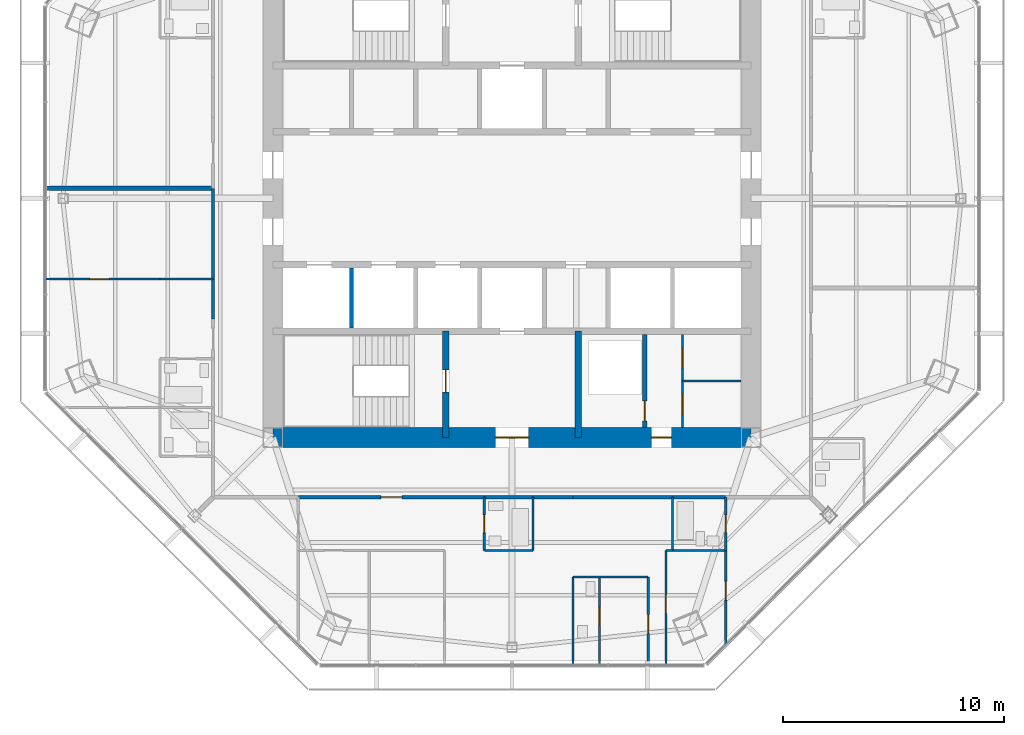
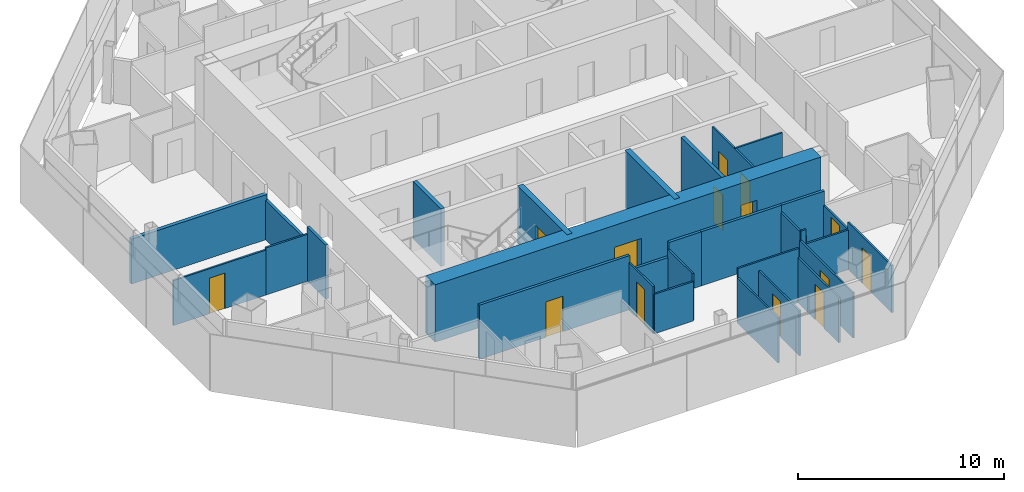
# One storey, part 9 of 14: 30 walls, 14 doors, 14 openings.
"""IFC4 building model written with IfcOpenShell, lengths in metres."""

import ifcopenshell
import ifcopenshell.guid

model = None  # the IFC model being written
_history = None  # IfcOwnerHistory: only IFC2X3 demands one
_inside = {}  # id of a spatial element -> (the spatial element, [elements in it])
_under = {}  # id of a project, library or spatial element -> (it, [spatial elements below it])
_declared = {}  # id of a project -> (the project, [libraries it declares])
_typed = {}  # id of a type object -> (the type object, [elements of that type])
_made_of = {}  # id of a material, layer set ... -> (it, [elements and type objects made of it])


def new_model(schema):
    """Start an empty IFC model of exactly this schema.

    Asked for "IFC4X3", IfcOpenShell would pick the latest addendum, in which some entities
    have other attributes; the version numbers below select the first issue.
    IFC2X3 requires an IfcOwnerHistory on every rooted entity: one is made here for all.
    """
    global model, _history
    if schema == "IFC4X3":
        model = ifcopenshell.file(schema_version=(4, 3, 0, 0))
    else:
        model = ifcopenshell.file(schema=schema)
    _inside.clear()
    _under.clear()
    _declared.clear()
    _typed.clear()
    _made_of.clear()
    _history = None
    if model.schema == "IFC2X3":
        org = make("IfcOrganization", Name="unknown")
        user = make(
            "IfcPersonAndOrganization",
            ThePerson=make("IfcPerson", FamilyName="unknown"),
            TheOrganization=org,
        )
        app = make(
            "IfcApplication",
            ApplicationDeveloper=org,
            Version="unknown",
            ApplicationFullName="unknown",
            ApplicationIdentifier="unknown",
        )
        _history = make(
            "IfcOwnerHistory",
            OwningUser=user,
            OwningApplication=app,
            ChangeAction="ADDED",
            CreationDate=0,
        )
    return model


def make(cls, **values):
    """One entity of the class cls with the attributes given. An attribute that is None is left unset."""
    return model.create_entity(
        cls, **{name: value for name, value in values.items() if value is not None}
    )


def rooted(cls, **values):
    """An entity with a GlobalId (a new one), such as an element, a storey or a relation."""
    return make(cls, GlobalId=ifcopenshell.guid.new(), OwnerHistory=_history, **values)


def si_unit(unit_type, name, prefix=None):
    """IfcSIUnit, for example si_unit("LENGTHUNIT", "METRE", prefix="MILLI")."""
    return make("IfcSIUnit", UnitType=unit_type, Prefix=prefix, Name=name)


def assignment(units):
    """IfcUnitAssignment: the units of a project."""
    return None if units is None else make("IfcUnitAssignment", Units=units)


def point(xyz):
    """IfcCartesianPoint."""
    return None if xyz is None else make("IfcCartesianPoint", Coordinates=xyz)


def direction(xyz):
    """IfcDirection."""
    return None if xyz is None else make("IfcDirection", DirectionRatios=xyz)


def frame(location, z_axis=None, x_axis=None):
    """IfcAxis2Placement3D, a coordinate frame: its origin and axes. An axis left out is left unset."""
    return make(
        "IfcAxis2Placement3D",
        Location=point(location),
        Axis=direction(z_axis),
        RefDirection=direction(x_axis),
    )


def frame_2d(location, x_axis=None):
    """IfcAxis2Placement2D, a coordinate frame in the plane: its origin and x axis."""
    return make(
        "IfcAxis2Placement2D", Location=point(location), RefDirection=direction(x_axis)
    )


def origin():
    """The frame at (0, 0, 0) with its axes left unset."""
    return frame((0.0, 0.0, 0.0))


def place(relative_to, where):
    """IfcLocalPlacement: puts the frame where relative to a parent placement (None: the world)."""
    return make(
        "IfcLocalPlacement", PlacementRelTo=relative_to, RelativePlacement=where
    )


def context(
    kind, dimensions, precision=None, world=None, true_north=None, identifier=None
):
    """IfcGeometricRepresentationContext, for example the 3D "Model" context."""
    return make(
        "IfcGeometricRepresentationContext",
        ContextIdentifier=identifier,
        ContextType=kind,
        CoordinateSpaceDimension=dimensions,
        Precision=precision,
        WorldCoordinateSystem=world,
        TrueNorth=true_north,
    )


def subcontext(parent, identifier, kind, view, scale=None):
    """IfcGeometricRepresentationSubContext, for example "Body" below "Model"."""
    return make(
        "IfcGeometricRepresentationSubContext",
        ContextIdentifier=identifier,
        ContextType=kind,
        ParentContext=parent,
        TargetScale=scale,
        TargetView=view,
    )


def project(units=None, contexts=None):
    """IfcProject with its units and contexts."""
    return rooted(
        "IfcProject",
        Name="project",
        RepresentationContexts=contexts,
        UnitsInContext=assignment(units),
    )


def spatial(cls, under=None, at=None, **own):
    """A site, building, storey or space (cls), placed at a placement, below another one or the project."""
    s = rooted(cls, ObjectPlacement=at, **own)
    if under is not None:
        _under.setdefault(under.id(), (under, []))[1].append(s)
    return s


def profile(cls, at=None, kind="AREA", **sizes):
    """A parametric profile (cls). Its sizes go by their IFC names, for example OverallWidth=200.0."""
    return make(cls, ProfileType=kind, Position=at, **sizes)


def rectangle(**sizes):
    """IfcRectangleProfileDef."""
    return profile("IfcRectangleProfileDef", **sizes)


def extrude(swept, where, along, depth):
    """IfcExtrudedAreaSolid: the profile swept, set in the frame where, extruded along a direction by depth."""
    return make(
        "IfcExtrudedAreaSolid",
        SweptArea=swept,
        Position=where,
        ExtrudedDirection=direction(along),
        Depth=depth,
    )


def shape(context_of_items, identifier, shape_type, items):
    """IfcShapeRepresentation: the items that make up one representation, for example the "Body"."""
    return make(
        "IfcShapeRepresentation",
        ContextOfItems=context_of_items,
        RepresentationIdentifier=identifier,
        RepresentationType=shape_type,
        Items=items,
    )


def material(Name=None, Category=None):
    """IfcMaterial."""
    return make("IfcMaterial", Name=Name, Category=Category)


def layer(
    of_material, thickness, ventilated=None, Name=None, Category=None, Priority=None
):
    """IfcMaterialLayer: one layer of a wall or slab, of a material (None: an air gap)."""
    return make(
        "IfcMaterialLayer",
        Material=of_material,
        LayerThickness=thickness,
        IsVentilated=ventilated,
        Name=Name,
        Category=Category,
        Priority=Priority,
    )


def layer_set(layers, Name=None):
    """IfcMaterialLayerSet."""
    return make("IfcMaterialLayerSet", MaterialLayers=layers, LayerSetName=Name)


def made_of(thing, what):
    """Note that an element or type object is made of a material, layer set ...; save() writes the relation."""
    if what is not None:
        _made_of.setdefault(what.id(), (what, []))[1].append(thing)
    return thing


def type_object(cls, material=None, **own):
    """A type object (cls), such as IfcWallType, which elements share."""
    return made_of(rooted(cls, **own), material)


def element(
    cls,
    number,
    at=None,
    inside=None,
    cuts=None,
    type_object=None,
    material=None,
    context=None,
    identifier="Body",
    shape_type=None,
    held_by="IfcProductDefinitionShape",
    body=None,
    shapes=None,
    **own,
):
    """One element of the class cls, such as IfcWall. Its Tag is "e" and its number.

    at: its placement. inside: the storey or other place that contains it. cuts: it is an
    opening in that element (IfcRelVoidsElement). A single representation is given by context,
    identifier, shape_type and body (its items); several are given by shapes. held_by: the class
    of the entity that holds the representations. save() writes the other relations.
    """
    e = rooted(cls, Tag="e%d" % number, ObjectPlacement=at, **own)
    if body is not None:
        shapes = [shape(context, identifier, shape_type, body)]
    if shapes is not None:
        e.Representation = make(held_by, Representations=shapes)
    if inside is not None:
        _inside.setdefault(inside.id(), (inside, []))[1].append(e)
    if cuts is not None:
        rooted(
            "IfcRelVoidsElement", RelatingBuildingElement=cuts, RelatedOpeningElement=e
        )
    if type_object is not None:
        _typed.setdefault(type_object.id(), (type_object, []))[1].append(e)
    return made_of(e, material)


def fill(opening, filler):
    """IfcRelFillsElement: the door or window that sits in an opening."""
    return rooted(
        "IfcRelFillsElement",
        RelatingOpeningElement=opening,
        RelatedBuildingElement=filler,
    )


def aggregate(whole, parts):
    """IfcRelAggregates: a whole, such as a stair, and the parts it consists of."""
    return rooted("IfcRelAggregates", RelatingObject=whole, RelatedObjects=parts)


def save(model, path):
    """Write the relations noted so far, then the file.

    IfcRelAggregates (storeys below a building ...), IfcRelContainedInSpatialStructure (elements
    in a storey), IfcRelDefinesByType, IfcRelAssociatesMaterial and IfcRelDeclares: one each for
    every whole, place, type object, material and project.
    """
    for whole, parts in _under.values():
        aggregate(whole, parts)
    for where, things in _inside.values():
        rooted(
            "IfcRelContainedInSpatialStructure",
            RelatedElements=things,
            RelatingStructure=where,
        )
    for kind, things in _typed.values():
        rooted("IfcRelDefinesByType", RelatedObjects=things, RelatingType=kind)
    for what, things in _made_of.values():
        rooted("IfcRelAssociatesMaterial", RelatedObjects=things, RelatingMaterial=what)
    for by, libraries in _declared.values():
        rooted("IfcRelDeclares", RelatingContext=by, RelatedDefinitions=libraries)
    model.write(path)


model = new_model("IFC4")

# Units and contexts
model_context = context("Model", 3, precision=1e-05, world=origin(), true_north=direction((0.0, 1.0)))
body_context = subcontext(model_context, "Body", "Model", "MODEL_VIEW")
ifc_project = project(units=[si_unit("LENGTHUNIT", "METRE"), si_unit("AREAUNIT", "SQUARE_METRE"), si_unit("VOLUMEUNIT", "CUBIC_METRE"), si_unit("PLANEANGLEUNIT", "RADIAN"), si_unit("MASSUNIT", "GRAM", prefix="KILO")], contexts=[model_context])

# Site, building, storey
site_placement = place(None, origin())
site = spatial("IfcSite", under=ifc_project, at=site_placement, CompositionType="ELEMENT")
building_placement = place(site_placement, origin())
building = spatial("IfcBuilding", under=site, at=building_placement, Name="Mashrafa Tower", CompositionType="ELEMENT")
storey_placement = place(building_placement, frame((0.0, 0.0, 244.800048828125)))
storey = spatial("IfcBuildingStorey", under=building, at=storey_placement, Name="L58", CompositionType="ELEMENT", Elevation=244.800048828125)

# Wall
ifc_material_1 = material(Name="Gypsum board on steel studs", Category="steel")
ifc_layer_1 = layer(ifc_material_1, 0.199951171875)
ifc_layer_set_1 = layer_set([ifc_layer_1], Name="Acoustic partition 200 1 hr")
wall_type_1 = type_object("IfcWallType", Name="Acoustic partition 200 1 hr", PredefinedType="PARTITIONING", material=ifc_layer_set_1)
wall_1_placement = place(storey_placement, frame((-21.07177734375, 0.449951171875, 0.0), z_axis=(0.0, 0.0, 1.0), x_axis=(1.0, 0.0, 0.0)))
element("IfcWall", 1, at=wall_1_placement, inside=storey, type_object=wall_type_1, Name="Acoustic wall L58-076", PredefinedType="PARTITIONING", context=body_context, shape_type="SweptSolid", body=[
    extrude(rectangle(XDim=7.57177734375, YDim=0.199951171875, at=frame_2d((3.785888671875, 0.0))), origin(), (0.0, 0.0, 1.0), 2.66162109375),
])

# Wall, opening, door
ifc_material_2 = material(Name="Concrete masonry unit", Category="masonry")
ifc_layer_2 = layer(ifc_material_2, 0.199951171875)
ifc_layer_set_2 = layer_set([ifc_layer_2], Name="Blockwork wall 200 2 hr")
wall_type_2 = type_object("IfcWallType", Name="Blockwork wall 200 2 hr", PredefinedType="PARTITIONING", material=ifc_layer_set_2)
wall_2_placement = place(storey_placement, frame((6.0, -10.35009765625, 0.0), z_axis=(0.0, 0.0, 1.0), x_axis=(0.0, 1.0, 0.0)))
wall_2 = element("IfcWall", 2, at=wall_2_placement, inside=storey, type_object=wall_type_2, Name="Riser enclosure wall L58", PredefinedType="PARTITIONING", context=body_context, shape_type="SweptSolid", body=[
    extrude(rectangle(XDim=4.2001953125, YDim=0.199951171875, at=frame_2d((2.10009765625, 0.0))), origin(), (0.0, 0.0, 1.0), 3.199951171875),
])
opening_1_placement = place(wall_2_placement, frame((0.300048828125, 0.0, 0.0)))
opening_1 = element("IfcOpeningElement", 3, at=opening_1_placement, cuts=wall_2, Name="Opening 58.046", PredefinedType="OPENING", context=body_context, shape_type="SweptSolid", body=[
    extrude(rectangle(XDim=0.89990234375, YDim=2.10009765625, at=frame_2d((0.449951171875, 1.050048828125))), frame((0.0, 0.10986328125, 0.0), z_axis=(0.0, -1.0, 0.0), x_axis=(1.0, 0.0, 0.0)), (0.0, 0.0, 1.0), 0.219970703125),
])
ifc_material_3 = material(Name="Steel door", Category="steel")
door_type_1 = type_object("IfcDoorType", Name="Service door 900 x 2100 90 min", OperationType="USERDEFINED", PredefinedType="DOOR", material=ifc_material_3)
door_1_placement = place(opening_1_placement, origin())
door_1 = element("IfcDoor", 4, at=door_1_placement, inside=storey, type_object=door_type_1, Name="Riser door L58", OperationType="SINGLE_SWING_LEFT", OverallHeight=2.10009765625, OverallWidth=0.89990234375, PredefinedType="DOOR", context=body_context, shape_type="SweptSolid", body=[
    extrude(rectangle(XDim=0.89990234375, YDim=2.10009765625, at=frame_2d((0.449951171875, 1.050048828125))), frame((0.0, 0.02490234375, 0.0), z_axis=(0.0, -1.0, 0.0), x_axis=(1.0, 0.0, 0.0)), (0.0, 0.0, 1.0), 0.050048828125),
])
fill(opening_1, door_1)

ifc_material_4 = material(Name="Concrete C50/60", Category="concrete")
ifc_layer_3 = layer(ifc_material_4, 0.300048828125)
ifc_layer_set_3 = layer_set([ifc_layer_3], Name="Core wall 300 C50/60")
wall_type_3 = type_object("IfcWallType", Name="Core wall 300 C50/60", PredefinedType="SOLIDWALL", material=ifc_layer_set_3)
wall_3_placement = place(storey_placement, frame((-3.0, -6.0, 0.0), z_axis=(0.0, 0.0, 1.0), x_axis=(0.0, -1.0, 0.0)))
wall_3 = element("IfcWall", 5, at=wall_3_placement, inside=storey, type_object=wall_type_3, Name="Core wall CX-SW L58", PredefinedType="SOLIDWALL", context=body_context, shape_type="SweptSolid", body=[
    extrude(rectangle(XDim=4.800048828125, YDim=0.300048828125, at=frame_2d((2.39990234375, 0.0))), origin(), (0.0, 0.0, 1.0), 3.39990234375),
])
opening_2_placement = place(wall_3_placement, frame((1.75, 0.0, 0.0)))
opening_2 = element("IfcOpeningElement", 6, at=opening_2_placement, cuts=wall_3, Name="Opening 58.044", PredefinedType="OPENING", context=body_context, shape_type="SweptSolid", body=[
    extrude(rectangle(XDim=1.0, YDim=2.10009765625, at=frame_2d((0.5, 1.050048828125))), frame((0.0, 0.159912109375, 0.0), z_axis=(0.0, -1.0, 0.0), x_axis=(1.0, 0.0, 0.0)), (0.0, 0.0, 1.0), 0.320068359375),
])
ifc_material_5 = material(Name="Steel door", Category="steel")
door_type_2 = type_object("IfcDoorType", Name="Stair door 1000 x 2100 90 min", OperationType="USERDEFINED", PredefinedType="DOOR", material=ifc_material_5)
door_2_placement = place(opening_2_placement, frame((1.0, 0.0, 0.0), z_axis=(0.0, 0.0, 1.0), x_axis=(-1.0, 0.0, 0.0)))
door_2 = element("IfcDoor", 7, at=door_2_placement, inside=storey, type_object=door_type_2, Name="Stair S3 door L58", OperationType="SINGLE_SWING_RIGHT", OverallHeight=2.10009765625, OverallWidth=1.0, PredefinedType="DOOR", context=body_context, shape_type="SweptSolid", body=[
    extrude(rectangle(XDim=1.0, YDim=2.10009765625, at=frame_2d((0.5, 1.050048828125))), frame((0.0, 0.02490234375, 0.0), z_axis=(0.0, -1.0, 0.0), x_axis=(1.0, 0.0, 0.0)), (0.0, 0.0, 1.0), 0.050048828125),
])
fill(opening_2, door_2)

# Wall
wall_4_placement = place(storey_placement, frame((3.0, -6.0, 0.0), z_axis=(0.0, 0.0, 1.0), x_axis=(0.0, -1.0, 0.0)))
element("IfcWall", 8, at=wall_4_placement, inside=storey, type_object=wall_type_3, Name="Core wall CX-SE L58", PredefinedType="SOLIDWALL", context=body_context, shape_type="SweptSolid", body=[
    extrude(rectangle(XDim=4.800048828125, YDim=0.300048828125, at=frame_2d((2.39990234375, 0.0))), origin(), (0.0, 0.0, 1.0), 3.39990234375),
])

# Wall, openings, doors
ifc_material_6 = material(Name="Concrete C50/60", Category="concrete")
ifc_layer_4 = layer(ifc_material_6, 0.89990234375)
ifc_layer_set_4 = layer_set([ifc_layer_4], Name="Core wall 900 C50/60")
wall_type_4 = type_object("IfcWallType", Name="Core wall 900 C50/60", PredefinedType="SOLIDWALL", material=ifc_layer_set_4)
wall_5_placement = place(storey_placement, frame((-10.800048828125, -10.800048828125, 0.0), z_axis=(0.0, 0.0, 1.0), x_axis=(1.0, 0.0, 0.0)))
wall_5 = element("IfcWall", 9, at=wall_5_placement, inside=storey, type_object=wall_type_4, Name="Core wall CW-S L58", PredefinedType="SOLIDWALL", context=body_context, shape_type="SweptSolid", body=[
    extrude(rectangle(XDim=21.60009765625, YDim=0.89990234375, at=frame_2d((10.800048828125, 0.0))), origin(), (0.0, 0.0, 1.0), 3.39990234375),
])
opening_3_placement = place(wall_5_placement, frame((10.050048828125, 0.0, 0.0)))
opening_3 = element("IfcOpeningElement", 10, at=opening_3_placement, cuts=wall_5, Name="Opening 58.041", PredefinedType="OPENING", context=body_context, shape_type="SweptSolid", body=[
    extrude(rectangle(XDim=1.5, YDim=2.10009765625, at=frame_2d((0.75, 1.050048828125))), frame((0.0, 0.4599609375, 0.0), z_axis=(0.0, -1.0, 0.0), x_axis=(1.0, 0.0, 0.0)), (0.0, 0.0, 1.0), 0.919921875),
])
opening_4_placement = place(wall_5_placement, frame((17.10009765625, 0.0, 0.0)))
opening_4 = element("IfcOpeningElement", 11, at=opening_4_placement, cuts=wall_5, Name="Opening 58.045", PredefinedType="OPENING", context=body_context, shape_type="SweptSolid", body=[
    extrude(rectangle(XDim=0.89990234375, YDim=2.10009765625, at=frame_2d((0.449951171875, 1.050048828125))), frame((0.0, 0.4599609375, 0.0), z_axis=(0.0, -1.0, 0.0), x_axis=(1.0, 0.0, 0.0)), (0.0, 0.0, 1.0), 0.919921875),
])
ifc_material_7 = material(Name="Steel door", Category="steel")
door_type_3 = type_object("IfcDoorType", Name="Lobby door pair 1500 x 2100 90 min", OperationType="DOUBLE_DOOR_SINGLE_SWING", PredefinedType="DOOR", material=ifc_material_7)
door_3_placement = place(opening_3_placement, origin())
door_3 = element("IfcDoor", 12, at=door_3_placement, inside=storey, type_object=door_type_3, Name="Fire-fighting lobby F2 door L58", OperationType="DOUBLE_DOOR_SINGLE_SWING", OverallHeight=2.10009765625, OverallWidth=1.5, PredefinedType="DOOR", context=body_context, shape_type="SweptSolid", body=[
    extrude(rectangle(XDim=1.5, YDim=2.10009765625, at=frame_2d((0.75, 1.050048828125))), frame((0.0, 0.02490234375, 0.0), z_axis=(0.0, -1.0, 0.0), x_axis=(1.0, 0.0, 0.0)), (0.0, 0.0, 1.0), 0.050048828125),
])
fill(opening_3, door_3)
door_4_placement = place(opening_4_placement, frame((0.89990234375, 0.0, 0.0), z_axis=(0.0, 0.0, 1.0), x_axis=(-1.0, 0.0, 0.0)))
door_4 = element("IfcDoor", 13, at=door_4_placement, inside=storey, type_object=door_type_1, Name="Services Lobby L58 door", OperationType="SINGLE_SWING_LEFT", OverallHeight=2.10009765625, OverallWidth=0.89990234375, PredefinedType="DOOR", context=body_context, shape_type="SweptSolid", body=[
    extrude(rectangle(XDim=0.89990234375, YDim=2.10009765625, at=frame_2d((0.449951171875, 1.050048828125))), frame((0.0, 0.02490234375, 0.0), z_axis=(0.0, -1.0, 0.0), x_axis=(1.0, 0.0, 0.0)), (0.0, 0.0, 1.0), 0.050048828125),
])
fill(opening_4, door_4)

# Walls
ifc_material_8 = material(Name="Gypsum board on steel studs", Category="steel")
ifc_layer_5 = layer(ifc_material_8, 0.14990234375)
ifc_layer_set_5 = layer_set([ifc_layer_5], Name="Corridor partition 150 1 hr")
wall_type_5 = type_object("IfcWallType", Name="Corridor partition 150 1 hr", PredefinedType="PARTITIONING", material=ifc_layer_set_5)
wall_6_placement = place(storey_placement, frame((-13.5, -3.64892578125, 0.0), z_axis=(0.0, 0.0, 1.0), x_axis=(0.0, -1.0, 0.0)))
element("IfcWall", 14, at=wall_6_placement, inside=storey, type_object=wall_type_5, Name="Corridor wall L58-032", PredefinedType="PARTITIONING", context=body_context, shape_type="SweptSolid", body=[
    extrude(rectangle(XDim=1.802001953125, YDim=0.14990234375, at=frame_2d((0.90087890625, 0.0))), origin(), (0.0, 0.0, 1.0), 3.199951171875),
])
wall_7_placement = place(storey_placement, frame((-13.5, 0.450927734375, 0.0), z_axis=(0.0, 0.0, 1.0), x_axis=(0.0, -1.0, 0.0)))
element("IfcWall", 15, at=wall_7_placement, inside=storey, type_object=wall_type_5, Name="Corridor wall L58-033", PredefinedType="PARTITIONING", context=body_context, shape_type="SweptSolid", body=[
    extrude(rectangle(XDim=4.101806640625, YDim=0.14990234375, at=frame_2d((2.05078125, 0.0))), origin(), (0.0, 0.0, 1.0), 2.33154296875),
])
wall_8_placement = place(storey_placement, frame((-1.2509765625, -13.5, 0.0), z_axis=(0.0, 0.0, 1.0), x_axis=(1.0, 0.0, 0.0)))
element("IfcWall", 16, at=wall_8_placement, inside=storey, type_object=wall_type_5, Name="Corridor wall L58-036", PredefinedType="PARTITIONING", context=body_context, shape_type="SweptSolid", body=[
    extrude(rectangle(XDim=2.201904296875, YDim=0.14990234375, at=frame_2d((1.10107421875, 0.0))), origin(), (0.0, 0.0, 1.0), 2.33154296875),
])
wall_9_placement = place(storey_placement, frame((0.948974609375, -13.5, 0.0), z_axis=(0.0, 0.0, 1.0), x_axis=(1.0, 0.0, 0.0)))
element("IfcWall", 17, at=wall_9_placement, inside=storey, type_object=wall_type_5, Name="Corridor wall L58-037", PredefinedType="PARTITIONING", context=body_context, shape_type="SweptSolid", body=[
    extrude(rectangle(XDim=1.802001953125, YDim=0.14990234375, at=frame_2d((0.90087890625, 0.0))), origin(), (0.0, 0.0, 1.0), 3.199951171875),
])
wall_10_placement = place(storey_placement, frame((7.2490234375, -13.5, 0.0), z_axis=(0.0, 0.0, 1.0), x_axis=(1.0, 0.0, 0.0)))
element("IfcWall", 18, at=wall_10_placement, inside=storey, type_object=wall_type_5, Name="Corridor wall L58-038", PredefinedType="PARTITIONING", context=body_context, shape_type="SweptSolid", body=[
    extrude(rectangle(XDim=2.40185546875, YDim=0.14990234375, at=frame_2d((1.200927734375, 0.0))), origin(), (0.0, 0.0, 1.0), 3.199951171875),
])

# Wall, opening, door
wall_11_placement = place(storey_placement, frame((-9.65087890625, -13.5, 0.0), z_axis=(0.0, 0.0, 1.0), x_axis=(1.0, 0.0, 0.0)))
wall_11 = element("IfcWall", 19, at=wall_11_placement, inside=storey, type_object=wall_type_5, Name="Corridor wall L58-040", PredefinedType="PARTITIONING", context=body_context, shape_type="SweptSolid", body=[
    extrude(rectangle(XDim=8.40185546875, YDim=0.14990234375, at=frame_2d((4.200927734375, 0.0))), origin(), (0.0, 0.0, 1.0), 3.199951171875),
])
opening_5_placement = place(wall_11_placement, frame((3.72607421875, 0.0, 0.0)))
opening_5 = element("IfcOpeningElement", 20, at=opening_5_placement, cuts=wall_11, Name="Opening 58.034", PredefinedType="OPENING", context=body_context, shape_type="SweptSolid", body=[
    extrude(rectangle(XDim=0.949951171875, YDim=2.10009765625, at=frame_2d((0.47509765625, 1.050048828125))), frame((0.0, 0.0849609375, 0.0), z_axis=(0.0, -1.0, 0.0), x_axis=(1.0, 0.0, 0.0)), (0.0, 0.0, 1.0), 0.169921875),
])
ifc_material_9 = material(Name="Steel door", Category="steel")
door_type_4 = type_object("IfcDoorType", Name="Residence entrance door 950 x 2100 20 min", OperationType="USERDEFINED", PredefinedType="DOOR", material=ifc_material_9)
door_5_placement = place(opening_5_placement, frame((0.949951171875, 0.0, 0.0), z_axis=(0.0, 0.0, 1.0), x_axis=(-1.0, 0.0, 0.0)))
door_5 = element("IfcDoor", 21, at=door_5_placement, inside=storey, type_object=door_type_4, Name="Apartment 5807 Living Room door", OperationType="SINGLE_SWING_RIGHT", OverallHeight=2.10009765625, OverallWidth=0.949951171875, PredefinedType="DOOR", context=body_context, shape_type="SweptSolid", body=[
    extrude(rectangle(XDim=0.949951171875, YDim=2.10009765625, at=frame_2d((0.47509765625, 1.050048828125))), frame((0.0, 0.02490234375, 0.0), z_axis=(0.0, -1.0, 0.0), x_axis=(1.0, 0.0, 0.0)), (0.0, 0.0, 1.0), 0.050048828125),
])
fill(opening_5, door_5)

# Walls
wall_12_placement = place(storey_placement, frame((2.7490234375, -13.5, 0.0), z_axis=(0.0, 0.0, 1.0), x_axis=(1.0, 0.0, 0.0)))
element("IfcWall", 22, at=wall_12_placement, inside=storey, type_object=wall_type_5, Name="Corridor wall L58-041", PredefinedType="PARTITIONING", context=body_context, shape_type="SweptSolid", body=[
    extrude(rectangle(XDim=4.501953125, YDim=0.14990234375, at=frame_2d((2.2509765625, 0.0))), origin(), (0.0, 0.0, 1.0), 3.199951171875),
])
ifc_material_10 = material(Name="Gypsum board on steel studs", Category="steel")
ifc_layer_6 = layer(ifc_material_10, 0.10009765625)
ifc_layer_set_6 = layer_set([ifc_layer_6], Name="Partition 100")
wall_type_6 = type_object("IfcWallType", Name="Partition 100", PredefinedType="PARTITIONING", material=ifc_layer_set_6)
wall_13_placement = place(storey_placement, frame((-13.5, -3.64990234375, 0.0), z_axis=(0.0, 0.0, 1.0), x_axis=(-1.0, 0.0, 0.0)))
element("IfcWall", 23, at=wall_13_placement, inside=storey, type_object=wall_type_6, Name="Partition wall L58-084", PredefinedType="PARTITIONING", context=body_context, shape_type="SweptSolid", body=[
    extrude(rectangle(XDim=2.39990234375, YDim=0.10009765625, at=frame_2d((1.199951171875, 0.0))), origin(), (0.0, 0.0, 1.0), 2.783447265625),
])

# Wall, opening, door
wall_14_placement = place(storey_placement, frame((-21.07373046875, -3.64990234375, 0.0), z_axis=(0.0, 0.0, 1.0), x_axis=(1.0, 0.0, 0.0)))
wall_14 = element("IfcWall", 24, at=wall_14_placement, inside=storey, type_object=wall_type_6, Name="Partition wall L58-085", PredefinedType="PARTITIONING", context=body_context, shape_type="SweptSolid", body=[
    extrude(rectangle(XDim=5.1748046875, YDim=0.10009765625, at=frame_2d((2.58740234375, 0.0))), origin(), (0.0, 0.0, 1.0), 2.66162109375),
])
opening_6_placement = place(wall_14_placement, frame((2.0244140625, 0.0, 0.0)))
opening_6 = element("IfcOpeningElement", 25, at=opening_6_placement, cuts=wall_14, Name="Opening 58.024", PredefinedType="OPENING", context=body_context, shape_type="SweptSolid", body=[
    extrude(rectangle(XDim=0.85009765625, YDim=2.10009765625, at=frame_2d((0.425048828125, 1.050048828125))), frame((0.0, 0.06005859375, 0.0), z_axis=(0.0, -1.0, 0.0), x_axis=(1.0, 0.0, 0.0)), (0.0, 0.0, 1.0), 0.1201171875),
])
ifc_material_11 = material(Name="Timber door", Category="wood")
door_type_5 = type_object("IfcDoorType", Name="Bedroom door 850 x 2100", OperationType="USERDEFINED", PredefinedType="DOOR", material=ifc_material_11)
door_6_placement = place(opening_6_placement, origin())
door_6 = element("IfcDoor", 26, at=door_6_placement, inside=storey, type_object=door_type_5, Name="Apartment 5806 Bedroom 2 door", OperationType="SINGLE_SWING_LEFT", OverallHeight=2.10009765625, OverallWidth=0.85009765625, PredefinedType="DOOR", context=body_context, shape_type="SweptSolid", body=[
    extrude(rectangle(XDim=0.85009765625, YDim=2.10009765625, at=frame_2d((0.425048828125, 1.050048828125))), frame((0.0, 0.02490234375, 0.0), z_axis=(0.0, -1.0, 0.0), x_axis=(1.0, 0.0, 0.0)), (0.0, 0.0, 1.0), 0.050048828125),
])
fill(opening_6, door_6)

# Wall
wall_15_placement = place(storey_placement, frame((0.949951171875, -15.89990234375, 0.0), z_axis=(0.0, 0.0, 1.0), x_axis=(0.0, 1.0, 0.0)))
element("IfcWall", 27, at=wall_15_placement, inside=storey, type_object=wall_type_6, Name="Partition wall L58-092", PredefinedType="PARTITIONING", context=body_context, shape_type="SweptSolid", body=[
    extrude(rectangle(XDim=2.39990234375, YDim=0.10009765625, at=frame_2d((1.199951171875, 0.0))), origin(), (0.0, 0.0, 1.0), 2.783447265625),
])

# Wall, opening, door
wall_16_placement = place(storey_placement, frame((-1.25, -13.5, 0.0), z_axis=(0.0, 0.0, 1.0), x_axis=(0.0, -1.0, 0.0)))
wall_16 = element("IfcWall", 28, at=wall_16_placement, inside=storey, type_object=wall_type_6, Name="Partition wall L58-093", PredefinedType="PARTITIONING", context=body_context, shape_type="SweptSolid", body=[
    extrude(rectangle(XDim=2.39990234375, YDim=0.10009765625, at=frame_2d((1.199951171875, 0.0))), origin(), (0.0, 0.0, 1.0), 2.783447265625),
])
opening_7_placement = place(wall_16_placement, frame((0.800048828125, 0.0, 0.0)))
opening_7 = element("IfcOpeningElement", 29, at=opening_7_placement, cuts=wall_16, Name="Opening 58.029", PredefinedType="OPENING", context=body_context, shape_type="SweptSolid", body=[
    extrude(rectangle(XDim=0.800048828125, YDim=2.10009765625, at=frame_2d((0.39990234375, 1.050048828125))), frame((0.0, 0.06005859375, 0.0), z_axis=(0.0, -1.0, 0.0), x_axis=(1.0, 0.0, 0.0)), (0.0, 0.0, 1.0), 0.1201171875),
])
ifc_material_12 = material(Name="Timber door", Category="wood")
door_type_6 = type_object("IfcDoorType", Name="Bathroom door 800 x 2100", OperationType="USERDEFINED", PredefinedType="DOOR", material=ifc_material_12)
door_7_placement = place(opening_7_placement, origin())
door_7 = element("IfcDoor", 30, at=door_7_placement, inside=storey, type_object=door_type_6, Name="Apartment 5807 Bathroom door", OperationType="SINGLE_SWING_RIGHT", OverallHeight=2.10009765625, OverallWidth=0.800048828125, PredefinedType="DOOR", context=body_context, shape_type="SweptSolid", body=[
    extrude(rectangle(XDim=0.800048828125, YDim=2.10009765625, at=frame_2d((0.39990234375, 1.050048828125))), frame((0.0, 0.02490234375, 0.0), z_axis=(0.0, -1.0, 0.0), x_axis=(1.0, 0.0, 0.0)), (0.0, 0.0, 1.0), 0.050048828125),
])
fill(opening_7, door_7)

# Wall
wall_17_placement = place(storey_placement, frame((-1.25, -15.89990234375, 0.0), z_axis=(0.0, 0.0, 1.0), x_axis=(1.0, 0.0, 0.0)))
element("IfcWall", 31, at=wall_17_placement, inside=storey, type_object=wall_type_6, Name="Partition wall L58-094", PredefinedType="PARTITIONING", context=body_context, shape_type="SweptSolid", body=[
    extrude(rectangle(XDim=2.199951171875, YDim=0.10009765625, at=frame_2d((1.10009765625, 0.0))), origin(), (0.0, 0.0, 1.0), 2.33154296875),
])

# Wall, opening, door
wall_18_placement = place(storey_placement, frame((3.949951171875, -17.10009765625, 0.0), z_axis=(0.0, 0.0, 1.0), x_axis=(0.0, -1.0, 0.0)))
wall_18 = element("IfcWall", 32, at=wall_18_placement, inside=storey, type_object=wall_type_6, Name="Partition wall L58-095", PredefinedType="PARTITIONING", context=body_context, shape_type="SweptSolid", body=[
    extrude(rectangle(XDim=3.9736328125, YDim=0.10009765625, at=frame_2d((1.98681640625, 0.0))), origin(), (0.0, 0.0, 1.0), 2.66162109375),
])
opening_8_placement = place(wall_18_placement, frame((1.369873046875, 0.0, 0.0)))
opening_8 = element("IfcOpeningElement", 33, at=opening_8_placement, cuts=wall_18, Name="Opening 58.031", PredefinedType="OPENING", context=body_context, shape_type="SweptSolid", body=[
    extrude(rectangle(XDim=0.800048828125, YDim=2.10009765625, at=frame_2d((0.39990234375, 1.050048828125))), frame((0.0, 0.06005859375, 0.0), z_axis=(0.0, -1.0, 0.0), x_axis=(1.0, 0.0, 0.0)), (0.0, 0.0, 1.0), 0.1201171875),
])
door_8_placement = place(opening_8_placement, frame((0.800048828125, 0.0, 0.0), z_axis=(0.0, 0.0, 1.0), x_axis=(-1.0, 0.0, 0.0)))
door_8 = element("IfcDoor", 34, at=door_8_placement, inside=storey, type_object=door_type_6, Name="Apartment 5807 Maid's WC door", OperationType="SINGLE_SWING_RIGHT", OverallHeight=2.10009765625, OverallWidth=0.800048828125, PredefinedType="DOOR", context=body_context, shape_type="SweptSolid", body=[
    extrude(rectangle(XDim=0.800048828125, YDim=2.10009765625, at=frame_2d((0.39990234375, 1.050048828125))), frame((0.0, 0.02490234375, 0.0), z_axis=(0.0, -1.0, 0.0), x_axis=(1.0, 0.0, 0.0)), (0.0, 0.0, 1.0), 0.050048828125),
])
fill(opening_8, door_8)

wall_19_placement = place(storey_placement, frame((6.14990234375, -21.07373046875, 0.0), z_axis=(0.0, 0.0, 1.0), x_axis=(0.0, 1.0, 0.0)))
wall_19 = element("IfcWall", 35, at=wall_19_placement, inside=storey, type_object=wall_type_6, Name="Partition wall L58-096", PredefinedType="PARTITIONING", context=body_context, shape_type="SweptSolid", body=[
    extrude(rectangle(XDim=3.9736328125, YDim=0.10009765625, at=frame_2d((1.98681640625, 0.0))), origin(), (0.0, 0.0, 1.0), 2.66162109375),
])
opening_9_placement = place(wall_19_placement, frame((1.423828125, 0.0, 0.0)))
opening_9 = element("IfcOpeningElement", 36, at=opening_9_placement, cuts=wall_19, Name="Opening 58.030", PredefinedType="OPENING", context=body_context, shape_type="SweptSolid", body=[
    extrude(rectangle(XDim=0.85009765625, YDim=2.10009765625, at=frame_2d((0.425048828125, 1.050048828125))), frame((0.0, 0.06005859375, 0.0), z_axis=(0.0, -1.0, 0.0), x_axis=(1.0, 0.0, 0.0)), (0.0, 0.0, 1.0), 0.1201171875),
])
door_9_placement = place(opening_9_placement, origin())
door_9 = element("IfcDoor", 37, at=door_9_placement, inside=storey, type_object=door_type_5, Name="Apartment 5807 Maid's Room door", OperationType="SINGLE_SWING_LEFT", OverallHeight=2.10009765625, OverallWidth=0.85009765625, PredefinedType="DOOR", context=body_context, shape_type="SweptSolid", body=[
    extrude(rectangle(XDim=0.85009765625, YDim=2.10009765625, at=frame_2d((0.425048828125, 1.050048828125))), frame((0.0, 0.02490234375, 0.0), z_axis=(0.0, -1.0, 0.0), x_axis=(1.0, 0.0, 0.0)), (0.0, 0.0, 1.0), 0.050048828125),
])
fill(opening_9, door_9)

# Walls
wall_20_placement = place(storey_placement, frame((6.14990234375, -17.10009765625, 0.0), z_axis=(0.0, 0.0, 1.0), x_axis=(-1.0, 0.0, 0.0)))
element("IfcWall", 38, at=wall_20_placement, inside=storey, type_object=wall_type_6, Name="Partition wall L58-097", PredefinedType="PARTITIONING", context=body_context, shape_type="SweptSolid", body=[
    extrude(rectangle(XDim=3.39990234375, YDim=0.10009765625, at=frame_2d((1.699951171875, 0.0))), origin(), (0.0, 0.0, 1.0), 3.199951171875),
])
wall_21_placement = place(storey_placement, frame((2.75, -17.10009765625, 0.0), z_axis=(0.0, 0.0, 1.0), x_axis=(0.0, -1.0, 0.0)))
element("IfcWall", 39, at=wall_21_placement, inside=storey, type_object=wall_type_6, Name="Partition wall L58-099", PredefinedType="PARTITIONING", context=body_context, shape_type="SweptSolid", body=[
    extrude(rectangle(XDim=3.9716796875, YDim=0.10009765625, at=frame_2d((1.98583984375, 0.0))), origin(), (0.0, 0.0, 1.0), 2.66162109375),
])

# Wall, opening, door
wall_22_placement = place(storey_placement, frame((9.64990234375, -15.89990234375, 0.0), z_axis=(0.0, 0.0, 1.0), x_axis=(0.0, 1.0, 0.0)))
wall_22 = element("IfcWall", 40, at=wall_22_placement, inside=storey, type_object=wall_type_6, Name="Partition wall L58-100", PredefinedType="PARTITIONING", context=body_context, shape_type="SweptSolid", body=[
    extrude(rectangle(XDim=2.39990234375, YDim=0.10009765625, at=frame_2d((1.199951171875, 0.0))), origin(), (0.0, 0.0, 1.0), 2.349365234375),
])
opening_10_placement = place(wall_22_placement, frame((0.800048828125, 0.0, 0.0)))
opening_10 = element("IfcOpeningElement", 41, at=opening_10_placement, cuts=wall_22, Name="Opening 58.032", PredefinedType="OPENING", context=body_context, shape_type="SweptSolid", body=[
    extrude(rectangle(XDim=0.800048828125, YDim=2.10009765625, at=frame_2d((0.39990234375, 1.050048828125))), frame((0.0, 0.06005859375, 0.0), z_axis=(0.0, -1.0, 0.0), x_axis=(1.0, 0.0, 0.0)), (0.0, 0.0, 1.0), 0.1201171875),
])
door_10_placement = place(opening_10_placement, origin())
door_10 = element("IfcDoor", 42, at=door_10_placement, inside=storey, type_object=door_type_6, Name="Apartment 5807 En-suite Bathroom door", OperationType="SINGLE_SWING_RIGHT", OverallHeight=2.10009765625, OverallWidth=0.800048828125, PredefinedType="DOOR", context=body_context, shape_type="SweptSolid", body=[
    extrude(rectangle(XDim=0.800048828125, YDim=2.10009765625, at=frame_2d((0.39990234375, 1.050048828125))), frame((0.0, 0.02490234375, 0.0), z_axis=(0.0, -1.0, 0.0), x_axis=(1.0, 0.0, 0.0)), (0.0, 0.0, 1.0), 0.050048828125),
])
fill(opening_10, door_10)

# Walls
wall_23_placement = place(storey_placement, frame((7.25, -13.5, 0.0), z_axis=(0.0, 0.0, 1.0), x_axis=(0.0, -1.0, 0.0)))
element("IfcWall", 43, at=wall_23_placement, inside=storey, type_object=wall_type_6, Name="Partition wall L58-101", PredefinedType="PARTITIONING", context=body_context, shape_type="SweptSolid", body=[
    extrude(rectangle(XDim=2.39990234375, YDim=0.10009765625, at=frame_2d((1.199951171875, 0.0))), origin(), (0.0, 0.0, 1.0), 2.783447265625),
])
wall_24_placement = place(storey_placement, frame((7.25, -15.89990234375, 0.0), z_axis=(0.0, 0.0, 1.0), x_axis=(1.0, 0.0, 0.0)))
element("IfcWall", 44, at=wall_24_placement, inside=storey, type_object=wall_type_6, Name="Partition wall L58-102", PredefinedType="PARTITIONING", context=body_context, shape_type="SweptSolid", body=[
    extrude(rectangle(XDim=2.39990234375, YDim=0.10009765625, at=frame_2d((1.199951171875, 0.0))), origin(), (0.0, 0.0, 1.0), 2.349365234375),
])

# Wall, opening, door
wall_25_placement = place(storey_placement, frame((9.64990234375, -15.89892578125, 0.0), z_axis=(0.0, 0.0, 1.0), x_axis=(0.0, -1.0, 0.0)))
wall_25 = element("IfcWall", 45, at=wall_25_placement, inside=storey, type_object=wall_type_6, Name="Partition wall L58-103", PredefinedType="PARTITIONING", context=body_context, shape_type="SweptSolid", body=[
    extrude(rectangle(XDim=4.254638671875, YDim=0.10009765625, at=frame_2d((2.12744140625, 0.0))), origin(), (0.0, 0.0, 1.0), 2.783447265625),
])
opening_11_placement = place(wall_25_placement, frame((1.39501953125, 0.0, 0.0)))
opening_11 = element("IfcOpeningElement", 46, at=opening_11_placement, cuts=wall_25, Name="Opening 58.033", PredefinedType="OPENING", context=body_context, shape_type="SweptSolid", body=[
    extrude(rectangle(XDim=0.85009765625, YDim=2.10009765625, at=frame_2d((0.425048828125, 1.050048828125))), frame((0.0, 0.06005859375, 0.0), z_axis=(0.0, -1.0, 0.0), x_axis=(1.0, 0.0, 0.0)), (0.0, 0.0, 1.0), 0.1201171875),
])
door_11_placement = place(opening_11_placement, origin())
door_11 = element("IfcDoor", 47, at=door_11_placement, inside=storey, type_object=door_type_5, Name="Apartment 5807 Bedroom 3 door", OperationType="SINGLE_SWING_RIGHT", OverallHeight=2.10009765625, OverallWidth=0.85009765625, PredefinedType="DOOR", context=body_context, shape_type="SweptSolid", body=[
    extrude(rectangle(XDim=0.85009765625, YDim=2.10009765625, at=frame_2d((0.425048828125, 1.050048828125))), frame((0.0, 0.02490234375, 0.0), z_axis=(0.0, -1.0, 0.0), x_axis=(1.0, 0.0, 0.0)), (0.0, 0.0, 1.0), 0.050048828125),
])
fill(opening_11, door_11)

wall_26_placement = place(storey_placement, frame((6.949951171875, -21.07373046875, 0.0), z_axis=(0.0, 0.0, 1.0), x_axis=(0.0, 1.0, 0.0)))
wall_26 = element("IfcWall", 48, at=wall_26_placement, inside=storey, type_object=wall_type_6, Name="Partition wall L58-104", PredefinedType="PARTITIONING", context=body_context, shape_type="SweptSolid", body=[
    extrude(rectangle(XDim=5.173828125, YDim=0.10009765625, at=frame_2d((2.5869140625, 0.0))), origin(), (0.0, 0.0, 1.0), 2.66162109375),
])
opening_12_placement = place(wall_26_placement, frame((2.323974609375, 0.0, 0.0)))
opening_12 = element("IfcOpeningElement", 49, at=opening_12_placement, cuts=wall_26, Name="Opening 58.035", PredefinedType="OPENING", context=body_context, shape_type="SweptSolid", body=[
    extrude(rectangle(XDim=0.85009765625, YDim=2.10009765625, at=frame_2d((0.425048828125, 1.050048828125))), frame((0.0, 0.06005859375, 0.0), z_axis=(0.0, -1.0, 0.0), x_axis=(1.0, 0.0, 0.0)), (0.0, 0.0, 1.0), 0.1201171875),
])
door_12_placement = place(opening_12_placement, frame((0.85009765625, 0.0, 0.0), z_axis=(0.0, 0.0, 1.0), x_axis=(-1.0, 0.0, 0.0)))
door_12 = element("IfcDoor", 50, at=door_12_placement, inside=storey, type_object=door_type_5, Name="Apartment 5807 Dining Room door", OperationType="SINGLE_SWING_RIGHT", OverallHeight=2.10009765625, OverallWidth=0.85009765625, PredefinedType="DOOR", context=body_context, shape_type="SweptSolid", body=[
    extrude(rectangle(XDim=0.85009765625, YDim=2.10009765625, at=frame_2d((0.425048828125, 1.050048828125))), frame((0.0, 0.02490234375, 0.0), z_axis=(0.0, -1.0, 0.0), x_axis=(1.0, 0.0, 0.0)), (0.0, 0.0, 1.0), 0.050048828125),
])
fill(opening_12, door_12)

# Wall
wall_27_placement = place(storey_placement, frame((6.949951171875, -15.89990234375, 0.0), z_axis=(0.0, 0.0, 1.0), x_axis=(1.0, 0.0, 0.0)))
element("IfcWall", 51, at=wall_27_placement, inside=storey, type_object=wall_type_6, Name="Partition wall L58-105", PredefinedType="PARTITIONING", context=body_context, shape_type="SweptSolid", body=[
    extrude(rectangle(XDim=0.300048828125, YDim=0.10009765625, at=frame_2d((0.14990234375, 0.0))), origin(), (0.0, 0.0, 1.0), 3.199951171875),
])

# Wall, openings, doors
ifc_material_13 = material(Name="Gypsum board on steel studs", Category="steel")
ifc_layer_7 = layer(ifc_material_13, 0.10009765625)
ifc_layer_set_7 = layer_set([ifc_layer_7], Name="Partition 100 1 hr")
wall_type_7 = type_object("IfcWallType", Name="Partition 100 1 hr", PredefinedType="PARTITIONING", material=ifc_layer_set_7)
wall_28_placement = place(storey_placement, frame((7.699951171875, -10.35009765625, 0.0), z_axis=(0.0, 0.0, 1.0), x_axis=(0.0, 1.0, 0.0)))
wall_28 = element("IfcWall", 52, at=wall_28_placement, inside=storey, type_object=wall_type_7, Name="Services lobby partition A L58", PredefinedType="PARTITIONING", context=body_context, shape_type="SweptSolid", body=[
    extrude(rectangle(XDim=4.2001953125, YDim=0.10009765625, at=frame_2d((2.10009765625, 0.0))), origin(), (0.0, 0.0, 1.0), 3.199951171875),
])
opening_13_placement = place(wall_28_placement, frame((2.699951171875, 0.0, 0.0)))
opening_13 = element("IfcOpeningElement", 53, at=opening_13_placement, cuts=wall_28, Name="Opening 58.047", PredefinedType="OPENING", context=body_context, shape_type="SweptSolid", body=[
    extrude(rectangle(XDim=0.89990234375, YDim=2.10009765625, at=frame_2d((0.449951171875, 1.050048828125))), frame((0.0, 0.06005859375, 0.0), z_axis=(0.0, -1.0, 0.0), x_axis=(1.0, 0.0, 0.0)), (0.0, 0.0, 1.0), 0.1201171875),
])
opening_14_placement = place(wall_28_placement, frame((0.60009765625, 0.0, 0.0)))
opening_14 = element("IfcOpeningElement", 54, at=opening_14_placement, cuts=wall_28, Name="Opening 58.048", PredefinedType="OPENING", context=body_context, shape_type="SweptSolid", body=[
    extrude(rectangle(XDim=0.89990234375, YDim=2.10009765625, at=frame_2d((0.449951171875, 1.050048828125))), frame((0.0, 0.06005859375, 0.0), z_axis=(0.0, -1.0, 0.0), x_axis=(1.0, 0.0, 0.0)), (0.0, 0.0, 1.0), 0.1201171875),
])
ifc_material_14 = material(Name="Timber door", Category="wood")
door_type_7 = type_object("IfcDoorType", Name="Store door 900 x 2100", OperationType="USERDEFINED", PredefinedType="DOOR", material=ifc_material_14)
door_13_placement = place(opening_13_placement, frame((0.89990234375, 0.0, 0.0), z_axis=(0.0, 0.0, 1.0), x_axis=(-1.0, 0.0, 0.0)))
door_13 = element("IfcDoor", 55, at=door_13_placement, inside=storey, type_object=door_type_7, Name="Communications Room L58 door", OperationType="SINGLE_SWING_RIGHT", OverallHeight=2.10009765625, OverallWidth=0.89990234375, PredefinedType="DOOR", context=body_context, shape_type="SweptSolid", body=[
    extrude(rectangle(XDim=0.89990234375, YDim=2.10009765625, at=frame_2d((0.449951171875, 1.050048828125))), frame((0.0, 0.02490234375, 0.0), z_axis=(0.0, -1.0, 0.0), x_axis=(1.0, 0.0, 0.0)), (0.0, 0.0, 1.0), 0.050048828125),
])
fill(opening_13, door_13)
door_14_placement = place(opening_14_placement, frame((0.89990234375, 0.0, 0.0), z_axis=(0.0, 0.0, 1.0), x_axis=(-1.0, 0.0, 0.0)))
door_14 = element("IfcDoor", 56, at=door_14_placement, inside=storey, type_object=door_type_7, Name="Building Services Store L58 door", OperationType="SINGLE_SWING_LEFT", OverallHeight=2.10009765625, OverallWidth=0.89990234375, PredefinedType="DOOR", context=body_context, shape_type="SweptSolid", body=[
    extrude(rectangle(XDim=0.89990234375, YDim=2.10009765625, at=frame_2d((0.449951171875, 1.050048828125))), frame((0.0, 0.02490234375, 0.0), z_axis=(0.0, -1.0, 0.0), x_axis=(1.0, 0.0, 0.0)), (0.0, 0.0, 1.0), 0.050048828125),
])
fill(opening_14, door_14)

# Walls
wall_29_placement = place(storey_placement, frame((7.699951171875, -8.25, 0.0), z_axis=(0.0, 0.0, 1.0), x_axis=(1.0, 0.0, 0.0)))
element("IfcWall", 57, at=wall_29_placement, inside=storey, type_object=wall_type_7, Name="Services lobby partition B L58", PredefinedType="PARTITIONING", context=body_context, shape_type="SweptSolid", body=[
    extrude(rectangle(XDim=2.650146484375, YDim=0.10009765625, at=frame_2d((1.3251953125, 0.0))), origin(), (0.0, 0.0, 1.0), 3.199951171875),
])
ifc_material_15 = material(Name="Gypsum shaft wall on steel studs", Category="steel")
ifc_layer_8 = layer(ifc_material_15, 0.199951171875)
ifc_layer_set_8 = layer_set([ifc_layer_8], Name="Shaft divider wall 200 2 hr")
wall_type_8 = type_object("IfcWallType", Name="Shaft divider wall 200 2 hr", PredefinedType="PARTITIONING", material=ifc_layer_set_8)
wall_30_placement = place(storey_placement, frame((-7.25, -5.85009765625, 0.0), z_axis=(0.0, 0.0, 1.0), x_axis=(0.0, 1.0, 0.0)))
element("IfcWall", 58, at=wall_30_placement, inside=storey, type_object=wall_type_8, Name="Shaft divider wall S1 L58", PredefinedType="PARTITIONING", context=body_context, shape_type="SweptSolid", body=[
    extrude(rectangle(XDim=2.7001953125, YDim=0.199951171875, at=frame_2d((1.35009765625, 0.0))), origin(), (0.0, 0.0, 1.0), 3.39990234375),
])

save(model, "model.ifc")
